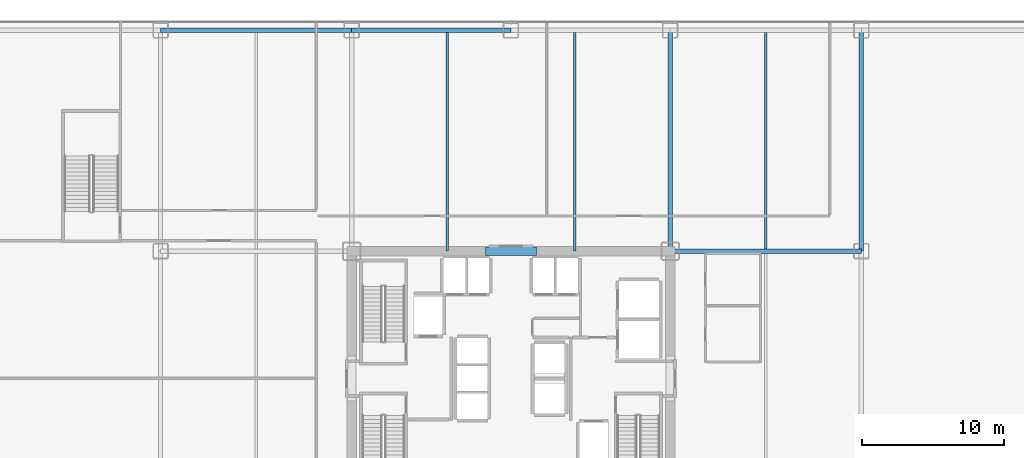
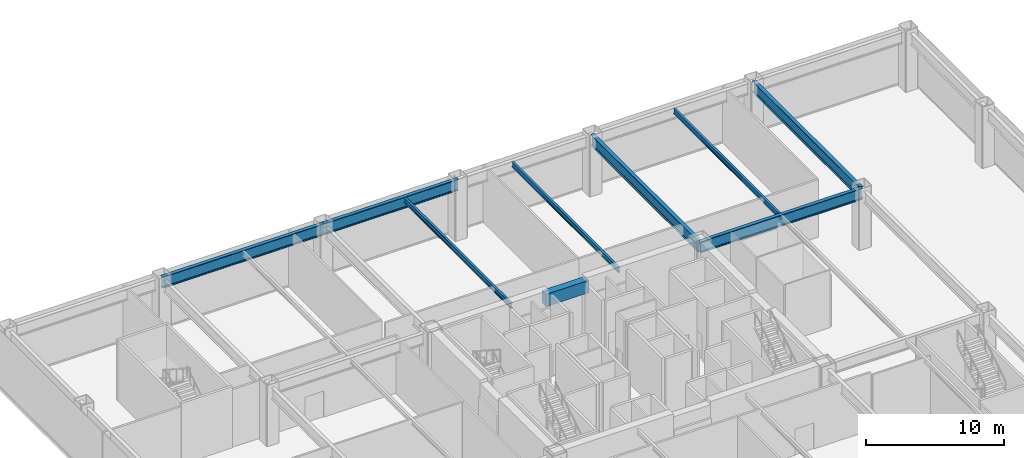
# One storey, part 9 of 24: 9 beams.
"""IFC4 building model written with IfcOpenShell, lengths in metres."""

from ifc_helpers import new_model, si_unit, direction, frame, origin, origin_2d, place, context, subcontext, project, spatial, rectangle, i_section, extrude, source, transform, mapped, material, material_profile, profile_set, type_object, element, save


model = new_model("IFC4")

# Units and contexts
model_context = context("Model", 3, precision=1e-05, world=origin(), true_north=direction((0.0, 1.0)))
body_context = subcontext(model_context, "Body", "Model", "MODEL_VIEW")
ifc_project = project(units=[si_unit("LENGTHUNIT", "METRE"), si_unit("AREAUNIT", "SQUARE_METRE"), si_unit("VOLUMEUNIT", "CUBIC_METRE"), si_unit("PLANEANGLEUNIT", "RADIAN"), si_unit("MASSUNIT", "GRAM", prefix="KILO")], contexts=[model_context])

# Site, building, storey
site_placement = place(None, origin())
site = spatial("IfcSite", under=ifc_project, at=site_placement, CompositionType="ELEMENT")
building_placement = place(site_placement, origin())
building = spatial("IfcBuilding", under=site, at=building_placement, Name="Nefas-Gora Pilgrimage Tower", CompositionType="ELEMENT")
storey_placement = place(building_placement, frame((0.0, 0.0, 16.800048828125)))
storey = spatial("IfcBuildingStorey", under=building, at=storey_placement, Name="L03", CompositionType="ELEMENT", Elevation=16.800048828125)

# Beams
ifc_material_1 = material(Name="Concrete C60/75", Category="concrete")
ifc_material_profile_1 = material_profile(ifc_material_1, rectangle(XDim=0.60009765625, YDim=1.10009765625, at=origin_2d()), Name="RC 600x1100")
ifc_profile_set_1 = profile_set([ifc_material_profile_1], Name="Concrete C60/75")
beam_type_1 = type_object("IfcBeamType", Name="BM-LIN-RC1100", PredefinedType="LINTEL", material=ifc_profile_set_1)
shared_shape_1 = source(origin(), body_context, "Body", "SweptSolid", [
    extrude(rectangle(XDim=0.60009765625, YDim=1.10009765625, at=origin_2d()), origin(), (0.0, 0.0, 1.0), 3.60009765625),
])
beam_1_placement = place(storey_placement, frame((-1.800048828125, 9.0, 4.550048828125), z_axis=(1.0, 0.0, 0.0), x_axis=(0.0, 1.0, 0.0)))
element("IfcBeam", 1, at=beam_1_placement, inside=storey, type_object=beam_type_1, Name="L03 Core Coupling Lintel Beam N", PredefinedType="LINTEL", context=body_context, shape_type="MappedRepresentation", body=[
    mapped(shared_shape_1, transform((0.0, 0.0, 0.0), x_axis=(1.0, 0.0, 0.0), y_axis=(0.0, 1.0, 0.0), z_axis=(0.0, 0.0, 1.0), scale=1.0)),
])
ifc_material_2 = material(Name="Steel S355", Category="steel")
ifc_material_profile_2 = material_profile(ifc_material_2, i_section(OverallWidth=0.18994140625, OverallDepth=0.449951171875, WebThickness=0.009521484375, FlangeThickness=0.0146484375, FilletRadius=0.02099609375, at=origin_2d()), Name="IPE 450")
ifc_profile_set_2 = profile_set([ifc_material_profile_2], Name="Steel S355")
beam_type_2 = type_object("IfcBeamType", Name="BM-JST-IPE450", PredefinedType="JOIST", material=ifc_profile_set_2)
shared_shape_2 = source(origin(), body_context, "Body", "SweptSolid", [
    extrude(i_section(OverallWidth=0.18994140625, OverallDepth=0.449951171875, WebThickness=0.009521484375, FlangeThickness=0.0146484375, FilletRadius=0.02099609375, at=origin_2d()), origin(), (0.0, 0.0, 1.0), 15.2880859375),
])
beam_2_placement = place(storey_placement, frame((18.0, 9.156005859375, 4.875), z_axis=(0.0, 1.0, 0.0), x_axis=(-1.0, 0.0, 0.0)))
element("IfcBeam", 2, at=beam_2_placement, inside=storey, type_object=beam_type_2, Name="L03 J-01 beam", PredefinedType="JOIST", context=body_context, shape_type="MappedRepresentation", body=[
    mapped(shared_shape_2, transform((0.0, 0.0, 0.0), x_axis=(1.0, 0.0, 0.0), y_axis=(0.0, 1.0, 0.0), z_axis=(0.0, 0.0, 1.0), scale=1.0)),
])
shared_shape_3 = source(origin(), body_context, "Body", "SweptSolid", [
    extrude(i_section(OverallWidth=0.18994140625, OverallDepth=0.449951171875, WebThickness=0.009521484375, FlangeThickness=0.0146484375, FilletRadius=0.02099609375, at=origin_2d()), origin(), (0.0, 0.0, 1.0), 15.444091796875),
])
for number, where, z_axis, x_axis, name in (
    (3, (-4.5, 9.0, 4.875), (0.0, 1.0, 0.0), (-1.0, 0.0, 0.0), "L03 J-01 beam"),
    (4, (4.5, 9.0, 4.875), (0.0, 1.0, 0.0), (-1.0, 0.0, 0.0), "L03 J-01 beam"),
):
    element("IfcBeam", number, at=place(storey_placement, frame(where, z_axis=z_axis, x_axis=x_axis)), inside=storey, type_object=beam_type_2, Name=name, PredefinedType="JOIST", context=body_context, shape_type="MappedRepresentation", body=[
        mapped(shared_shape_3, transform((0.0, 0.0, 0.0), x_axis=(1.0, 0.0, 0.0), y_axis=(0.0, 1.0, 0.0), z_axis=(0.0, 0.0, 1.0), scale=1.0)),
    ])
ifc_material_3 = material(Name="Steel S460", Category="steel")
ifc_material_profile_3 = material_profile(ifc_material_3, i_section(OverallWidth=0.300048828125, OverallDepth=1.0, WebThickness=0.01904296875, FlangeThickness=0.035888671875, FilletRadius=0.030029296875, at=origin_2d()), Name="HEB 1000")
ifc_profile_set_3 = profile_set([ifc_material_profile_3], Name="Steel S460")
beam_type_3 = type_object("IfcBeamType", Name="BM-POD-HEB1000E", PredefinedType="BEAM", material=ifc_profile_set_3)
shared_shape_4 = source(origin(), body_context, "Body", "SweptSolid", [
    extrude(i_section(OverallWidth=0.300048828125, OverallDepth=1.0, WebThickness=0.01904296875, FlangeThickness=0.035888671875, FilletRadius=0.030029296875, at=origin_2d()), origin(), (0.0, 0.0, 1.0), 13.5),
])
beam_3_placement = place(storey_placement, frame((-24.75, 24.60009765625, 4.599853515625), z_axis=(1.0, 0.0, 0.0), x_axis=(0.0, 1.0, 0.0)))
element("IfcBeam", 5, at=beam_3_placement, inside=storey, type_object=beam_type_3, Name="L03 PG-01E beam", PredefinedType="BEAM", context=body_context, shape_type="MappedRepresentation", body=[
    mapped(shared_shape_4, transform((0.0, 0.0, 0.0), x_axis=(1.0, 0.0, 0.0), y_axis=(0.0, 1.0, 0.0), z_axis=(0.0, 0.0, 1.0), scale=1.0)),
])
shared_shape_5 = source(origin(), body_context, "Body", "SweptSolid", [
    extrude(i_section(OverallWidth=0.300048828125, OverallDepth=1.0, WebThickness=0.01904296875, FlangeThickness=0.035888671875, FilletRadius=0.030029296875, at=origin_2d()), origin(), (0.0, 0.0, 1.0), 11.25),
])
beam_4_placement = place(storey_placement, frame((-11.25, 24.60009765625, 4.599853515625), z_axis=(1.0, 0.0, 0.0), x_axis=(0.0, 1.0, 0.0)))
element("IfcBeam", 6, at=beam_4_placement, inside=storey, type_object=beam_type_3, Name="L03 PG-01E beam", PredefinedType="BEAM", context=body_context, shape_type="MappedRepresentation", body=[
    mapped(shared_shape_5, transform((0.0, 0.0, 0.0), x_axis=(1.0, 0.0, 0.0), y_axis=(0.0, 1.0, 0.0), z_axis=(0.0, 0.0, 1.0), scale=1.0)),
])
ifc_material_profile_4 = material_profile(ifc_material_3, i_section(OverallWidth=0.300048828125, OverallDepth=1.0, WebThickness=0.01904296875, FlangeThickness=0.035888671875, FilletRadius=0.030029296875, at=origin_2d()), Name="HEB 1000")
ifc_profile_set_4 = profile_set([ifc_material_profile_4], Name="Steel S460")
beam_type_4 = type_object("IfcBeamType", Name="BM-POD-HEB1000", PredefinedType="BEAM", material=ifc_profile_set_4)
shared_shape_6 = source(origin(), body_context, "Body", "SweptSolid", [
    extrude(i_section(OverallWidth=0.300048828125, OverallDepth=1.0, WebThickness=0.01904296875, FlangeThickness=0.035888671875, FilletRadius=0.030029296875, at=origin_2d()), origin(), (0.0, 0.0, 1.0), 13.5),
])
beam_5_placement = place(storey_placement, frame((11.25, 9.0, 4.599853515625), z_axis=(1.0, 0.0, 0.0), x_axis=(0.0, 1.0, 0.0)))
element("IfcBeam", 7, at=beam_5_placement, inside=storey, type_object=beam_type_4, Name="L03 PG-01 beam", PredefinedType="BEAM", context=body_context, shape_type="MappedRepresentation", body=[
    mapped(shared_shape_6, transform((0.0, 0.0, 0.0), x_axis=(1.0, 0.0, 0.0), y_axis=(0.0, 1.0, 0.0), z_axis=(0.0, 0.0, 1.0), scale=1.0)),
])
shared_shape_7 = source(origin(), body_context, "Body", "SweptSolid", [
    extrude(i_section(OverallWidth=0.300048828125, OverallDepth=1.0, WebThickness=0.01904296875, FlangeThickness=0.035888671875, FilletRadius=0.030029296875, at=origin_2d()), origin(), (0.0, 0.0, 1.0), 15.60009765625),
])
for number, where, z_axis, x_axis, name in (
    (8, (11.25, 9.0, 4.599853515625), (0.0, 1.0, 0.0), (-1.0, 0.0, 0.0), "L03 PG-01 beam"),
    (9, (24.75, 9.0, 4.599853515625), (0.0, 1.0, 0.0), (-1.0, 0.0, 0.0), "L03 PG-01 beam"),
):
    element("IfcBeam", number, at=place(storey_placement, frame(where, z_axis=z_axis, x_axis=x_axis)), inside=storey, type_object=beam_type_4, Name=name, PredefinedType="BEAM", context=body_context, shape_type="MappedRepresentation", body=[
        mapped(shared_shape_7, transform((0.0, 0.0, 0.0), x_axis=(1.0, 0.0, 0.0), y_axis=(0.0, 1.0, 0.0), z_axis=(0.0, 0.0, 1.0), scale=1.0)),
    ])

save(model, "model.ifc")
